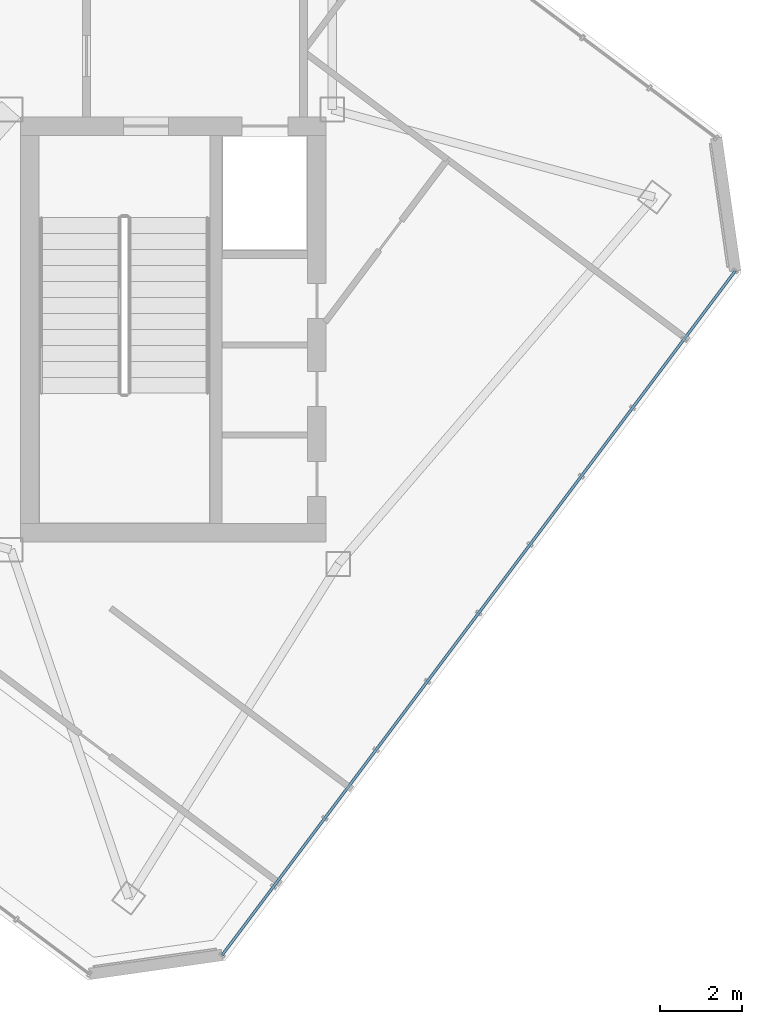
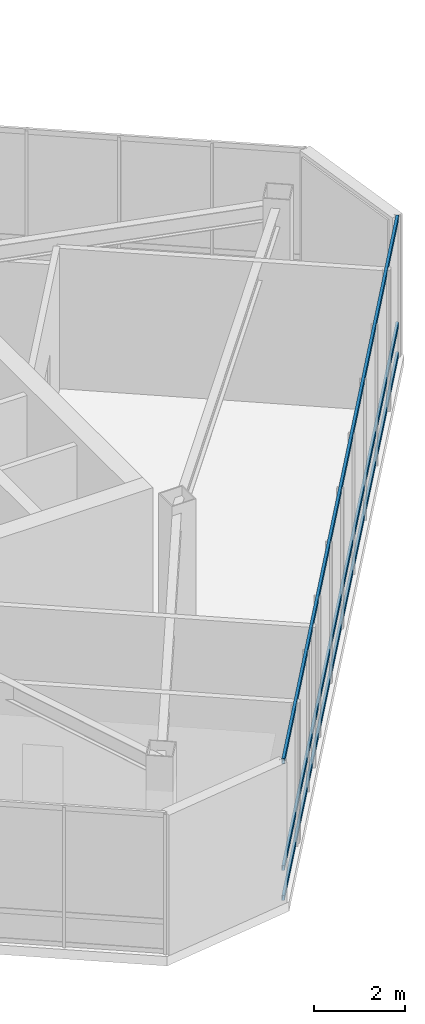
# One storey, part 9 of 30: 3 members, 1 element without a shape of its own.
"""IFC4 building model written with IfcOpenShell, lengths in metres."""

from ifc_helpers import new_model, si_unit, direction, frame, origin, origin_2d, place, context, subcontext, project, spatial, hollow_rectangle, extrude, material, layer, layer_set, material_profile, profile_set, type_object, element, aggregate, save


model = new_model("IFC4")

# Units and contexts
model_context = context("Model", 3, precision=1e-05, world=origin(), true_north=direction((0.0, 1.0)))
body_context = subcontext(model_context, "Body", "Model", "MODEL_VIEW")
ifc_project = project(units=[si_unit("LENGTHUNIT", "METRE"), si_unit("AREAUNIT", "SQUARE_METRE"), si_unit("VOLUMEUNIT", "CUBIC_METRE"), si_unit("PLANEANGLEUNIT", "RADIAN"), si_unit("MASSUNIT", "GRAM", prefix="KILO")], contexts=[model_context])

# Site, building, storey
site_placement = place(None, origin())
site = spatial("IfcSite", under=ifc_project, at=site_placement, CompositionType="ELEMENT")
building_placement = place(site_placement, origin())
building = spatial("IfcBuilding", under=site, at=building_placement, Name="Hatsunagi Terrace Concourse", CompositionType="ELEMENT")
storey_placement = place(building_placement, frame((0.0, 0.0, 273.949951171875)))
storey = spatial("IfcBuildingStorey", under=building, at=storey_placement, Name="L72", CompositionType="ELEMENT", Elevation=273.949951171875)

# Curtain wall, members
ifc_material_1 = material(Name="Anodised Aluminium Alloy 6063-T5", Category="aluminium")
ifc_layer = layer(ifc_material_1, 0.199951171875)
ifc_layer_set = layer_set([ifc_layer], Name="CrownWintergarden_CW06")
curtain_wall_type = type_object("IfcCurtainWallType", Name="CrownWintergarden_CW06", PredefinedType="NOTDEFINED", material=ifc_layer_set)
curtain_wall_placement = place(storey_placement, origin())
curtain_wall = element("IfcCurtainWall", 1, at=curtain_wall_placement, inside=storey, type_object=curtain_wall_type, Name="Unitised Curtain Wall CW-06 CW-L72-03", PredefinedType="NOTDEFINED")
ifc_material_2 = material(Name="Anodised Aluminium Alloy 6063-T5", Category="aluminium")
ifc_material_profile = material_profile(ifc_material_2, hollow_rectangle(XDim=0.06494140625, YDim=0.139892578125, WallThickness=0.00390625, at=origin_2d()), Name="ALU-TRN-140x65x4")
ifc_profile_set = profile_set([ifc_material_profile], Name="Anodised Aluminium Alloy 6063-T5")
member_type = type_object("IfcMemberType", Name="CurtainWallTransom_140x65", PredefinedType="USERDEFINED", material=ifc_profile_set)
member_1_placement = place(storey_placement, frame((53.492919921875, 31.35791015625, 0.050048828125), z_axis=(-0.599970072971, -0.800022444397, 0.0), x_axis=(0.800022444397, -0.599970072971, 0.0)))
member_1 = element("IfcMember", 2, at=member_1_placement, type_object=member_type, Name="Curtain Wall Transom TRN-02", ObjectType="TRANSOM", PredefinedType="USERDEFINED", context=body_context, shape_type="SweptSolid", body=[
    extrude(hollow_rectangle(XDim=0.06494140625, YDim=0.139892578125, WallThickness=0.00390625, at=origin_2d()), origin(), (0.0, 0.0, 1.0), 20.884521484375),
])
member_2_placement = place(storey_placement, frame((53.492919921875, 31.35791015625, 0.85009765625), z_axis=(-0.599970072971, -0.800022444397, 0.0), x_axis=(0.800022444397, -0.599970072971, 0.0)))
member_2 = element("IfcMember", 3, at=member_2_placement, type_object=member_type, Name="Curtain Wall Transom TRN-02", ObjectType="TRANSOM", PredefinedType="USERDEFINED", context=body_context, shape_type="SweptSolid", body=[
    extrude(hollow_rectangle(XDim=0.06494140625, YDim=0.139892578125, WallThickness=0.00390625, at=origin_2d()), origin(), (0.0, 0.0, 1.0), 20.884521484375),
])
member_3_placement = place(storey_placement, frame((53.492919921875, 31.35791015625, 3.699951171875), z_axis=(-0.599970072971, -0.800022444397, 0.0), x_axis=(0.800022444397, -0.599970072971, 0.0)))
member_3 = element("IfcMember", 4, at=member_3_placement, type_object=member_type, Name="Curtain Wall Transom TRN-02", ObjectType="TRANSOM", PredefinedType="USERDEFINED", context=body_context, shape_type="SweptSolid", body=[
    extrude(hollow_rectangle(XDim=0.06494140625, YDim=0.139892578125, WallThickness=0.00390625, at=origin_2d()), origin(), (0.0, 0.0, 1.0), 20.884521484375),
])
aggregate(curtain_wall, [member_1, member_2, member_3])

save(model, "model.ifc")
